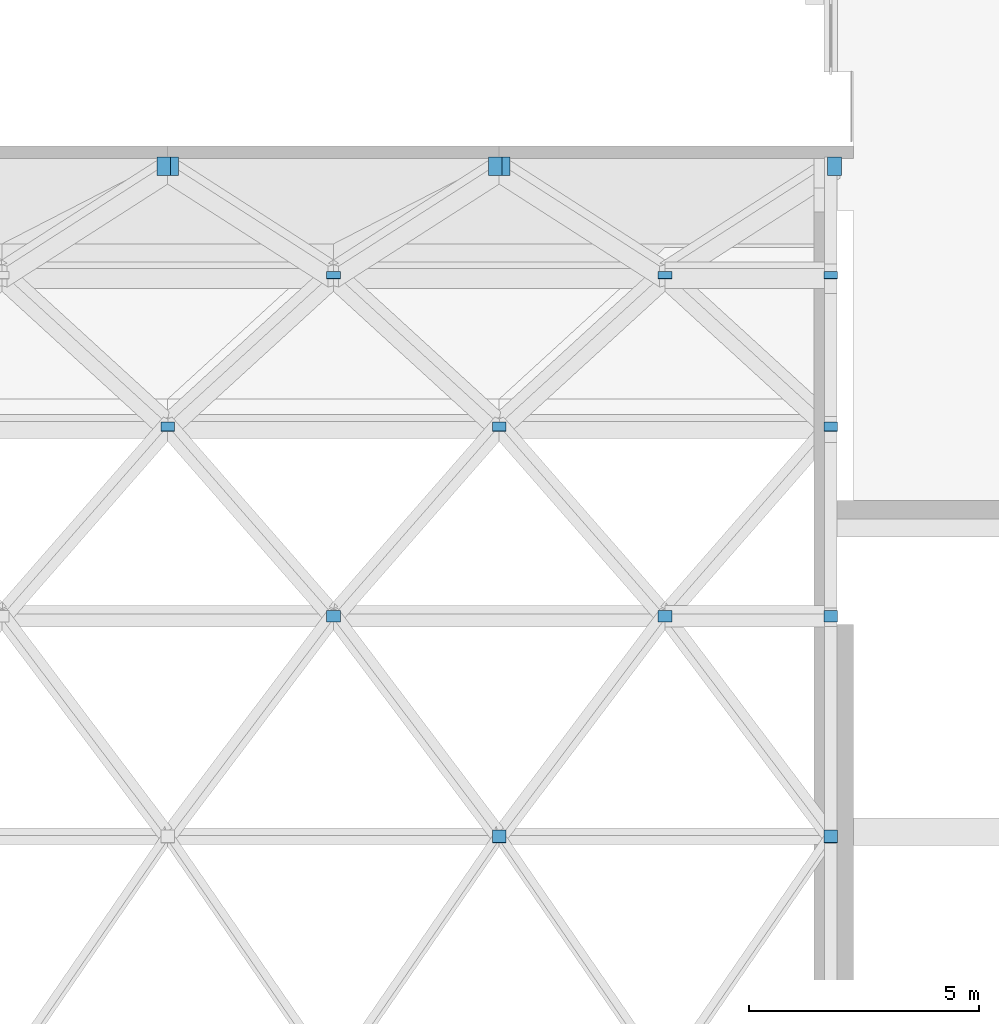
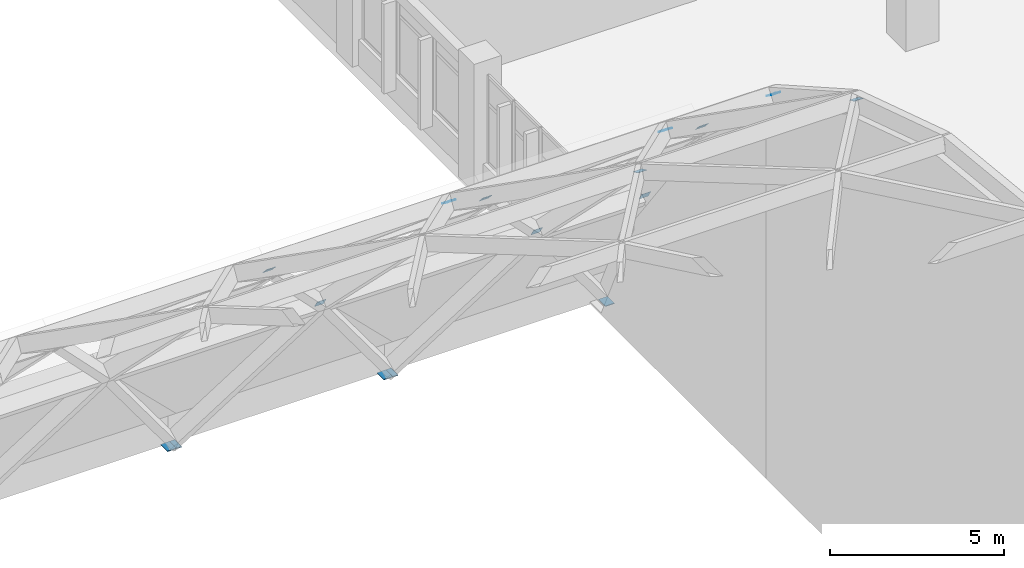
# One storey, part 49 of 52: 16 discrete accessories.
"""IFC4 building model written with IfcOpenShell, lengths in metres."""

from ifc_helpers import new_model, si_unit, direction, frame, origin, origin_2d, place, context, subcontext, project, spatial, rectangle, extrude, material, layer, layer_set, material_profile, profile_set, type_object, element, save


model = new_model("IFC4")

# Units and contexts
model_context = context("Model", 3, precision=1e-05, world=origin(), true_north=direction((0.0, 1.0)))
body_context = subcontext(model_context, "Body", "Model", "MODEL_VIEW")
ifc_project = project(units=[si_unit("LENGTHUNIT", "METRE"), si_unit("AREAUNIT", "SQUARE_METRE"), si_unit("VOLUMEUNIT", "CUBIC_METRE"), si_unit("PLANEANGLEUNIT", "RADIAN"), si_unit("MASSUNIT", "GRAM", prefix="KILO")], contexts=[model_context])

# Site, building, storey
site_placement = place(None, origin())
site = spatial("IfcSite", under=ifc_project, at=site_placement, CompositionType="ELEMENT")
building_placement = place(site_placement, origin())
building = spatial("IfcBuilding", under=site, at=building_placement, Name="Vermilion Court Aquatics Centre", CompositionType="ELEMENT")
storey_placement = place(building_placement, frame((0.0, 0.0, 12.0)))
storey = spatial("IfcBuildingStorey", under=building, at=storey_placement, Name="L02", CompositionType="ELEMENT", Elevation=12.0)

# Discrete accessories
ifc_material_1 = material(Name="Stainless steel 1.4547, 1.4529 or 1.4565", Category="steel")
ifc_material_profile = material_profile(ifc_material_1, rectangle(XDim=0.300048828125, YDim=0.300048828125, at=origin_2d()), Name="PL 12 x 300 x 300")
ifc_profile_set = profile_set([ifc_material_profile], Name="Stainless steel 1.4547, 1.4529 or 1.4565")
discrete_accessory_type_1 = type_object("IfcDiscreteAccessoryType", Name="Gridshell node plate", PredefinedType="BRACKET", material=ifc_profile_set)
for number, where, z_axis, x_axis, name in (
    (1, (136.800048828125, 50.297607421875, 16.00146484375), (0.0, 0.406138466053, 0.91381154862), (-1.0, 0.0, 0.0), "Gridshell node plate NP1 08-17"),
    (2, (144.0, 50.297607421875, 16.00146484375), (0.0, 0.406138466053, 0.91381154862), (-1.0, 0.0, 0.0), "Gridshell node plate NP1 08-18"),
    (3, (133.199951171875, 55.076416015625, 13.2861328125), (0.0, 0.586967571461, 0.809610443394), (-1.0, 0.0, 0.0), "Gridshell node plate NP1 09-17"),
    (4, (140.39990234375, 55.076416015625, 13.2861328125), (0.0, 0.586967571461, 0.809610443394), (-1.0, 0.0, 0.0), "Gridshell node plate NP1 09-18"),
    (5, (144.0, 55.076416015625, 13.2861328125), (0.0, 0.586967571461, 0.809610443394), (-1.0, 0.0, 0.0), "Gridshell node plate NP1 09-19"),
    (6, (129.60009765625, 59.195556640625, 9.64794921875), (0.0, 0.737154140201, 0.675724628517), (-1.0, 0.0, 0.0), "Gridshell node plate NP1 10-16"),
    (7, (136.800048828125, 59.195556640625, 9.64794921875), (0.0, 0.737154140201, 0.675724628517), (-1.0, 0.0, 0.0), "Gridshell node plate NP1 10-17"),
    (8, (144.0, 59.195556640625, 9.64794921875), (0.0, 0.737154140201, 0.675724628517), (-1.0, 0.0, 0.0), "Gridshell node plate NP1 10-18"),
    (9, (133.199951171875, 62.48486328125, 5.23583984375), (0.0, 0.850265146688, 0.526354614616), (-1.0, 0.0, 0.0), "Gridshell node plate NP1 11-17"),
    (10, (140.39990234375, 62.48486328125, 5.23583984375), (0.0, 0.850265146688, 0.526354614616), (-1.0, 0.0, 0.0), "Gridshell node plate NP1 11-18"),
    (11, (144.0, 62.48486328125, 5.23583984375), (0.0, 0.850265146688, 0.526354614616), (-1.0, 0.0, 0.0), "Gridshell node plate NP1 11-19"),
):
    element("IfcDiscreteAccessory", number, at=place(storey_placement, frame(where, z_axis=z_axis, x_axis=x_axis)), inside=storey, type_object=discrete_accessory_type_1, Name=name, PredefinedType="BRACKET", context=body_context, shape_type="SweptSolid", body=[
        extrude(rectangle(XDim=0.300048828125, YDim=0.300048828125, at=origin_2d()), origin(), (0.0, 0.0, 1.0), 0.011962890625),
    ])
ifc_material_2 = material(Name="Stainless steel 1.4547, 1.4529 or 1.4565", Category="steel")
ifc_layer = layer(ifc_material_2, 0.02490234375)
ifc_layer_set = layer_set([ifc_layer], Name="Gridshell springing seat plate")
discrete_accessory_type_2 = type_object("IfcDiscreteAccessoryType", Name="Gridshell springing seat plate", PredefinedType="SHOE", material=ifc_layer_set)
for number, where, z_axis, x_axis, name in (
    (12, (129.515380859375, 64.854248046875, 0.025146484375), (0.0, 0.0, 1.0), (1.0, 0.0, 0.0), "Gridshell springing seat plate NP2 N68"),
    (13, (129.6845703125, 64.854248046875, 0.025146484375), (0.0, 0.0, 1.0), (1.0, 0.0, 0.0), "Gridshell springing seat plate NP2 N69"),
    (14, (136.715576171875, 64.854248046875, 0.025146484375), (0.0, 0.0, 1.0), (1.0, 0.0, 0.0), "Gridshell springing seat plate NP2 N70"),
    (15, (136.884521484375, 64.854248046875, 0.025146484375), (0.0, 0.0, 1.0), (1.0, 0.0, 0.0), "Gridshell springing seat plate NP2 N71"),
    (16, (144.08447265625, 64.854248046875, 0.025146484375), (0.0, 0.0, 1.0), (1.0, 0.0, 0.0), "Gridshell springing seat plate NP2 N72"),
):
    element("IfcDiscreteAccessory", number, at=place(storey_placement, frame(where, z_axis=z_axis, x_axis=x_axis)), inside=storey, type_object=discrete_accessory_type_2, Name=name, PredefinedType="SHOE", context=body_context, shape_type="SweptSolid", body=[
        extrude(rectangle(XDim=0.300048828125, YDim=0.39990234375, at=origin_2d()), origin(), (0.0, 0.0, 1.0), 0.02490234375),
    ])

save(model, "model.ifc")
